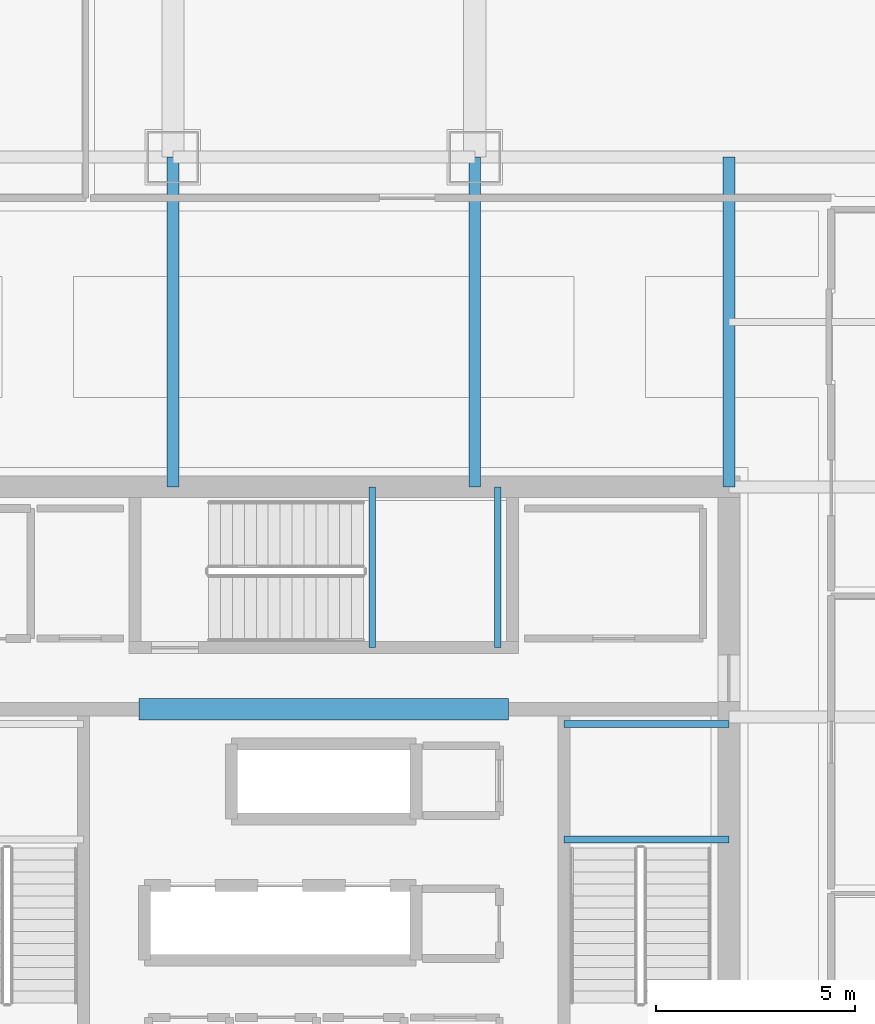
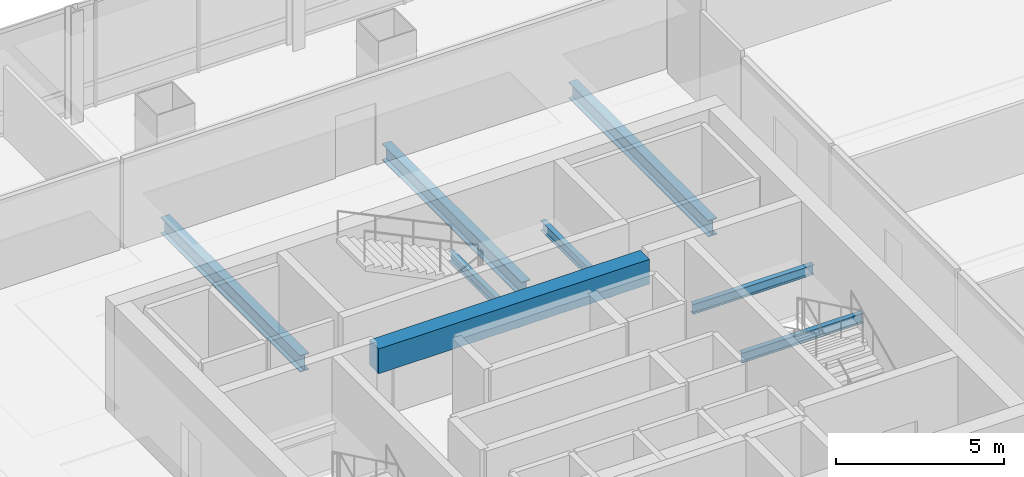
# One storey, part 13 of 42: 8 beams.
"""IFC4 building model written with IfcOpenShell, lengths in metres."""

from ifc_helpers import new_model, si_unit, direction, frame, origin, origin_2d, place, context, subcontext, project, spatial, rectangle, i_section, extrude, material, material_profile, profile_set, type_object, element, save


model = new_model("IFC4")

# Units and contexts
model_context = context("Model", 3, precision=1e-05, world=origin(), true_north=direction((0.0, 1.0)))
body_context = subcontext(model_context, "Body", "Model", "MODEL_VIEW")
ifc_project = project(units=[si_unit("LENGTHUNIT", "METRE"), si_unit("AREAUNIT", "SQUARE_METRE"), si_unit("VOLUMEUNIT", "CUBIC_METRE"), si_unit("PLANEANGLEUNIT", "RADIAN"), si_unit("MASSUNIT", "GRAM", prefix="KILO")], contexts=[model_context])

# Site, building, storey
site_placement = place(None, origin())
site = spatial("IfcSite", under=ifc_project, at=site_placement, CompositionType="ELEMENT")
building_placement = place(site_placement, origin())
building = spatial("IfcBuilding", under=site, at=building_placement, Name="Punatoya Terracotta Tower", CompositionType="ELEMENT")
storey_placement = place(building_placement, frame((0.0, 0.0, 263.550048828125)))
storey = spatial("IfcBuildingStorey", under=building, at=storey_placement, Name="L62", CompositionType="ELEMENT", Elevation=263.550048828125)

# Beams
ifc_material_1 = material(Name="Steel S355", Category="steel")
ifc_material_profile_1 = material_profile(ifc_material_1, i_section(OverallWidth=0.300048828125, OverallDepth=0.60009765625, WebThickness=0.015380859375, FlangeThickness=0.030029296875, FilletRadius=0.01806640625, at=origin_2d()))
ifc_profile_set_1 = profile_set([ifc_material_profile_1], Name="Steel S355")
beam_type_1 = type_object("IfcBeamType", Name="BM-PRI-600", PredefinedType="BEAM", material=ifc_profile_set_1)
for number, where, z_axis, x_axis, name in (
    (1, (-3.800048828125, 9.199951171875, -0.5), (0.0, 1.0, 0.0), (-1.0, 0.0, 0.0), "BM-L62-PR-N2"),
    (2, (3.800048828125, 9.199951171875, -0.5), (0.0, 1.0, 0.0), (-1.0, 0.0, 0.0), "BM-L62-PR-N3"),
    (3, (10.199951171875, 9.199951171875, -0.5), (0.0, 1.0, 0.0), (-1.0, 0.0, 0.0), "BM-L62-PR-N4"),
):
    element("IfcBeam", number, at=place(storey_placement, frame(where, z_axis=z_axis, x_axis=x_axis)), inside=storey, type_object=beam_type_1, Name=name, PredefinedType="BEAM", context=body_context, shape_type="SweptSolid", body=[
        extrude(i_section(OverallWidth=0.300048828125, OverallDepth=0.60009765625, WebThickness=0.015380859375, FlangeThickness=0.030029296875, FilletRadius=0.01806640625, at=origin_2d()), origin(), (0.0, 0.0, 1.0), 8.300048828125),
    ])
ifc_material_2 = material(Name="Concrete C50/60", Category="concrete")
ifc_material_profile_2 = material_profile(ifc_material_2, rectangle(XDim=0.550048828125, YDim=0.89990234375, at=origin_2d()))
ifc_profile_set_2 = profile_set([ifc_material_profile_2], Name="Concrete C50/60")
beam_type_2 = type_object("IfcBeamType", Name="BM-RC-900", PredefinedType="LINTEL", material=ifc_profile_set_2)
beam_placement = place(storey_placement, frame((-4.64990234375, 3.60009765625, 3.39990234375), z_axis=(1.0, 0.0, 0.0), x_axis=(0.0, 1.0, 0.0)))
element("IfcBeam", 4, at=beam_placement, inside=storey, type_object=beam_type_2, Name="L62 Core Coupling Lintel CNW", PredefinedType="LINTEL", context=body_context, shape_type="SweptSolid", body=[
    extrude(rectangle(XDim=0.550048828125, YDim=0.89990234375, at=origin_2d()), origin(), (0.0, 0.0, 1.0), 9.2998046875),
])
ifc_material_profile_3 = material_profile(ifc_material_1, i_section(OverallWidth=0.169921875, OverallDepth=0.360107421875, WebThickness=0.008056640625, FlangeThickness=0.0126953125, FilletRadius=0.01806640625, at=origin_2d()))
ifc_profile_set_3 = profile_set([ifc_material_profile_3], Name="Steel S355")
beam_type_3 = type_object("IfcBeamType", Name="BM-SEC-360", PredefinedType="JOIST", material=ifc_profile_set_3)
for number, where, z_axis, x_axis, name in (
    (5, (6.050048828125, 0.320068359375, 1.64501953125), (1.0, 0.0, 0.0), (0.0, 1.0, 0.0), "BM-L62-ST-2-LD1A"),
    (6, (6.050048828125, 3.22998046875, 1.64501953125), (1.0, 0.0, 0.0), (0.0, 1.0, 0.0), "BM-L62-ST-2-LD1B"),
):
    element("IfcBeam", number, at=place(storey_placement, frame(where, z_axis=z_axis, x_axis=x_axis)), inside=storey, type_object=beam_type_3, Name=name, PredefinedType="JOIST", context=body_context, shape_type="SweptSolid", body=[
        extrude(i_section(OverallWidth=0.169921875, OverallDepth=0.360107421875, WebThickness=0.008056640625, FlangeThickness=0.0126953125, FilletRadius=0.01806640625, at=origin_2d()), origin(), (0.0, 0.0, 1.0), 4.14990234375),
    ])
for number, where, z_axis, x_axis, name in (
    (7, (1.219970703125, 5.14990234375, 1.64501953125), (0.0, 1.0, 0.0), (-1.0, 0.0, 0.0), "BM-L62-ST-3-LD1A"),
    (8, (4.3798828125, 5.14990234375, 1.64501953125), (0.0, 1.0, 0.0), (-1.0, 0.0, 0.0), "BM-L62-ST-3-LD1B"),
):
    element("IfcBeam", number, at=place(storey_placement, frame(where, z_axis=z_axis, x_axis=x_axis)), inside=storey, type_object=beam_type_3, Name=name, PredefinedType="JOIST", context=body_context, shape_type="SweptSolid", body=[
        extrude(i_section(OverallWidth=0.169921875, OverallDepth=0.360107421875, WebThickness=0.008056640625, FlangeThickness=0.0126953125, FilletRadius=0.01806640625, at=origin_2d()), origin(), (0.0, 0.0, 1.0), 4.050048828125),
    ])

save(model, "model.ifc")
